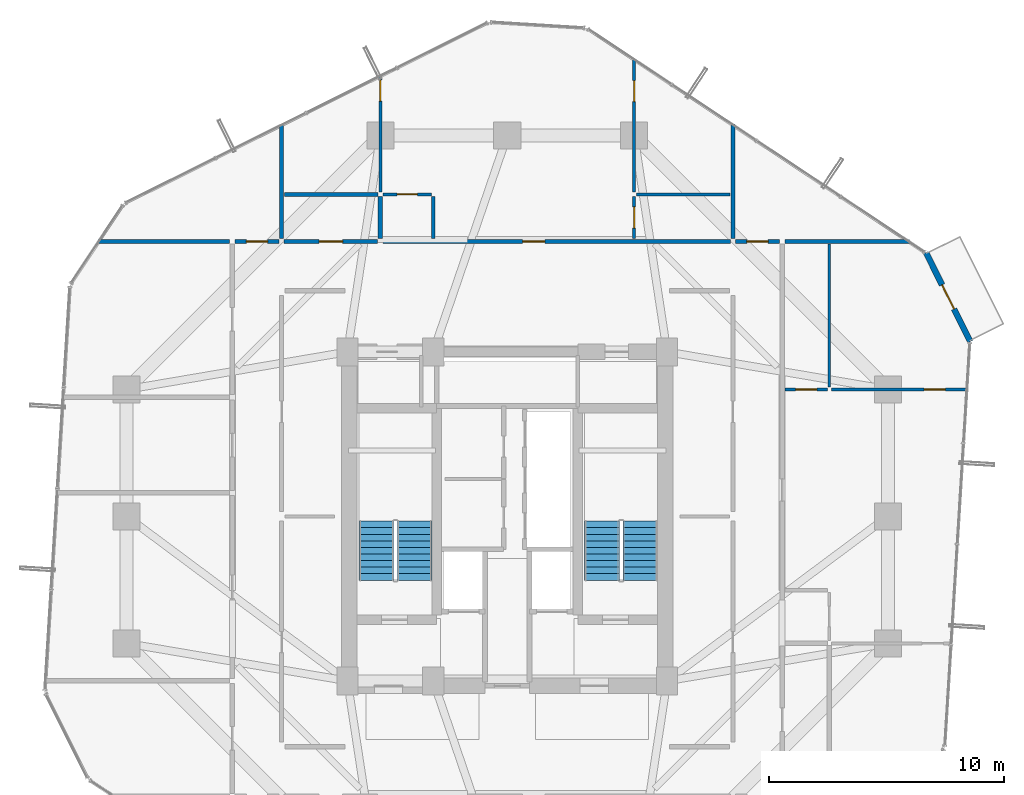
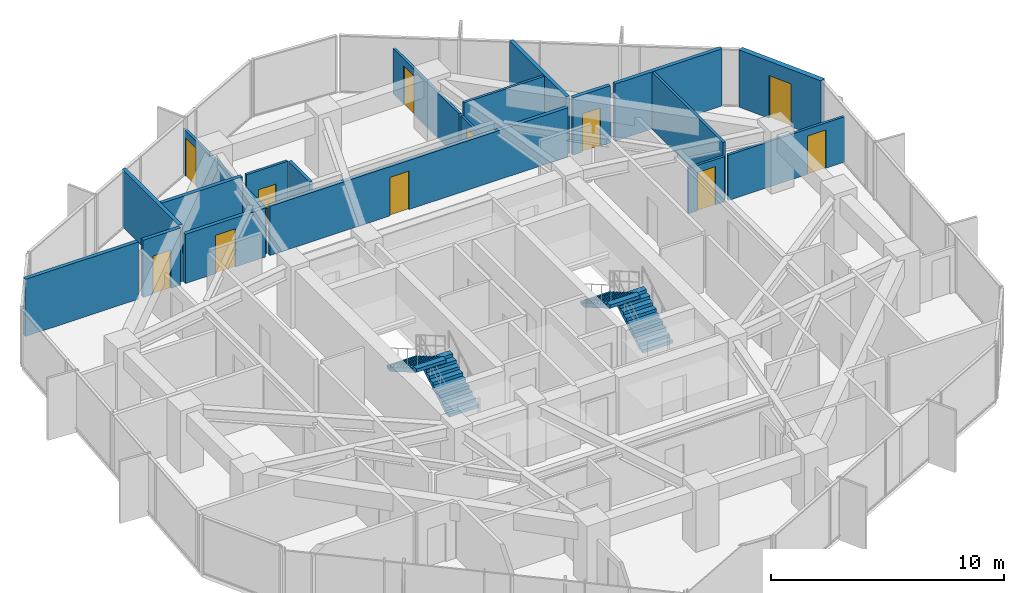
# One storey, part 28 of 30: 20 walls, 11 doors, 4 stair flights, 11 openings, 2 elements without a shape of their own.
"""IFC4 building model written with IfcOpenShell, lengths in metres."""

from ifc_helpers import new_model, si_unit, direction, frame, frame_2d, origin, place, context, subcontext, project, spatial, polyline, rectangle, outline, extrude, source, transform, mapped, material, layer, layer_set, type_object, element, fill, aggregate, save


model = new_model("IFC4")

# Units and contexts
model_context = context("Model", 3, precision=1e-05, world=origin(), true_north=direction((0.0, 1.0)))
body_context = subcontext(model_context, "Body", "Model", "MODEL_VIEW")
ifc_project = project(units=[si_unit("LENGTHUNIT", "METRE"), si_unit("AREAUNIT", "SQUARE_METRE"), si_unit("VOLUMEUNIT", "CUBIC_METRE"), si_unit("PLANEANGLEUNIT", "RADIAN"), si_unit("MASSUNIT", "GRAM", prefix="KILO")], contexts=[model_context])

# Site, building, storey
site_placement = place(None, origin())
site = spatial("IfcSite", under=ifc_project, at=site_placement, CompositionType="ELEMENT")
building_placement = place(site_placement, origin())
building = spatial("IfcBuilding", under=site, at=building_placement, Name="Veraguas Prism Commons", CompositionType="ELEMENT")
storey_placement = place(building_placement, frame((0.0, 0.0, 116.5)))
storey = spatial("IfcBuildingStorey", under=building, at=storey_placement, Name="L32", CompositionType="ELEMENT", Elevation=116.5)

# Walls
ifc_material_1 = material(Name="Autoclaved aerated masonry block 10 MPa", Category="masonry")
ifc_layer_1 = layer(ifc_material_1, 0.179931640625, Name="Corridor and Inter-Tenancy Partition 180", Category="masonry")
ifc_layer_set_1 = layer_set([ifc_layer_1], Name="Autoclaved aerated masonry block 10 MPa")
wall_type_1 = type_object("IfcWallType", Name="Corridor and Inter-Tenancy Partition 180", PredefinedType="PARTITIONING", material=ifc_layer_set_1)
wall_1_placement = place(storey_placement, frame((14.39990234375, 35.820068359375, 0.0), z_axis=(0.0, 0.0, 1.0), x_axis=(0.0, 1.0, 0.0)))
element("IfcWall", 1, at=wall_1_placement, inside=storey, type_object=wall_type_1, Name="WL-L32-PT013", PredefinedType="PARTITIONING", context=body_context, shape_type="SweptSolid", body=[
    extrude(rectangle(XDim=4.862548828125, YDim=0.179931640625, at=frame_2d((2.43115234375, 0.0))), origin(), (0.0, 0.0, 1.0), 3.0),
])
wall_2_placement = place(storey_placement, frame((33.60009765625, 35.820068359375, 0.0), z_axis=(0.0, 0.0, 1.0), x_axis=(0.0, 1.0, 0.0)))
element("IfcWall", 2, at=wall_2_placement, inside=storey, type_object=wall_type_1, Name="WL-L32-PT014", PredefinedType="PARTITIONING", context=body_context, shape_type="SweptSolid", body=[
    extrude(rectangle(XDim=4.866455078125, YDim=0.179931640625, at=frame_2d((2.43310546875, 0.0))), origin(), (0.0, 0.0, 1.0), 3.0),
])

# Wall, opening, door
wall_3_placement = place(storey_placement, frame((14.510009765625, 35.699951171875, 0.0), z_axis=(0.0, 0.0, 1.0), x_axis=(1.0, 0.0, 0.0)))
wall_3 = element("IfcWall", 3, at=wall_3_placement, inside=storey, type_object=wall_type_1, Name="WL-L32-PT015", PredefinedType="PARTITIONING", context=body_context, shape_type="SweptSolid", body=[
    extrude(rectangle(XDim=3.97998046875, YDim=0.179931640625, at=frame_2d((1.989990234375, 0.0))), origin(), (0.0, 0.0, 1.0), 2.580078125),
])
opening_1_placement = place(wall_3_placement, frame((1.489990234375, 0.0, 0.0)))
opening_1 = element("IfcOpeningElement", 4, at=opening_1_placement, cuts=wall_3, Name="Opening DR-13", PredefinedType="OPENING", context=body_context, shape_type="SweptSolid", body=[
    extrude(rectangle(XDim=1.0, YDim=2.010009765625, at=frame_2d((0.5, 1.0048828125))), frame((0.0, 0.099853515625, 0.0), z_axis=(0.0, -1.0, 0.0), x_axis=(1.0, 0.0, 0.0)), (0.0, 0.0, 1.0), 0.199951171875),
])
ifc_material_2 = material(Name="Steel fire-rated door assembly", Category="steel")
door_type_1 = type_object("IfcDoorType", Name="Core Accessible WC and Clinic Fire Door 1000x2010", OperationType="NOTDEFINED", PredefinedType="DOOR", material=ifc_material_2)
shared_shape_1 = source(origin(), body_context, "Body", "SweptSolid", [
    extrude(rectangle(XDim=1.0, YDim=2.010009765625, at=frame_2d((0.5, 1.0048828125))), frame((0.0, 0.02490234375, 0.0), z_axis=(0.0, -1.0, 0.0), x_axis=(1.0, 0.0, 0.0)), (0.0, 0.0, 1.0), 0.050048828125),
])
door_1_placement = place(opening_1_placement, origin())
door_1 = element("IfcDoor", 5, at=door_1_placement, inside=storey, type_object=door_type_1, Name="Residents Study Alcove 32B Door", OperationType="SINGLE_SWING_LEFT", OverallHeight=2.010009765625, OverallWidth=1.0, PredefinedType="DOOR", context=body_context, shape_type="MappedRepresentation", body=[
    mapped(shared_shape_1, transform((0.0, 0.0, 0.0), scale=1.0)),
])
fill(opening_1, door_1)

wall_4_placement = place(storey_placement, frame((18.7099609375, 35.699951171875, 0.0), z_axis=(0.0, 0.0, 1.0), x_axis=(1.0, 0.0, 0.0)))
wall_4 = element("IfcWall", 6, at=wall_4_placement, inside=storey, type_object=wall_type_1, Name="WL-L32-PT016", PredefinedType="PARTITIONING", context=body_context, shape_type="SweptSolid", body=[
    extrude(rectangle(XDim=14.780029296875, YDim=0.179931640625, at=frame_2d((7.39013671875, 0.0))), origin(), (0.0, 0.0, 1.0), 2.580078125),
])
opening_2_placement = place(wall_4_placement, frame((5.93994140625, 0.0, 0.0)))
opening_2 = element("IfcOpeningElement", 7, at=opening_2_placement, cuts=wall_4, Name="Opening DR-01", PredefinedType="OPENING", context=body_context, shape_type="SweptSolid", body=[
    extrude(rectangle(XDim=0.949951171875, YDim=2.02001953125, at=frame_2d((0.47509765625, 1.010009765625))), frame((0.0, 0.099853515625, 0.0), z_axis=(0.0, -1.0, 0.0), x_axis=(1.0, 0.0, 0.0)), (0.0, 0.0, 1.0), 0.199951171875),
])
ifc_material_3 = material(Name="Anodised aluminium EN AW-6063 T6", Category="aluminium")
door_type_2 = type_object("IfcDoorType", Name="Apartment Entrance Fire Door 950x2020", OperationType="NOTDEFINED", PredefinedType="DOOR", material=ifc_material_3)
shared_shape_2 = source(origin(), body_context, "Body", "SweptSolid", [
    extrude(rectangle(XDim=0.949951171875, YDim=2.02001953125, at=frame_2d((0.47509765625, 1.010009765625))), frame((0.0, 0.02490234375, 0.0), z_axis=(0.0, -1.0, 0.0), x_axis=(1.0, 0.0, 0.0)), (0.0, 0.0, 1.0), 0.050048828125),
])
door_2_placement = place(opening_2_placement, origin())
door_2 = element("IfcDoor", 8, at=door_2_placement, inside=storey, type_object=door_type_2, Name="Flat 32B Entrance Door", OperationType="SINGLE_SWING_RIGHT", OverallHeight=2.02001953125, OverallWidth=0.949951171875, PredefinedType="DOOR", context=body_context, shape_type="MappedRepresentation", body=[
    mapped(shared_shape_2, transform((0.0, 0.0, 0.0), scale=1.0)),
])
fill(opening_2, door_2)

# Walls
wall_5_placement = place(storey_placement, frame((14.52001953125, 37.699951171875, 0.0), z_axis=(0.0, 0.0, 1.0), x_axis=(1.0, 0.0, 0.0)))
element("IfcWall", 9, at=wall_5_placement, inside=storey, type_object=wall_type_1, Name="WL-L32-PT017", PredefinedType="PARTITIONING", context=body_context, shape_type="SweptSolid", body=[
    extrude(rectangle(XDim=3.97998046875, YDim=0.179931640625, at=frame_2d((1.989990234375, 0.0))), origin(), (0.0, 0.0, 1.0), 3.0),
])
wall_6_placement = place(storey_placement, frame((18.60009765625, 35.820068359375, 0.0), z_axis=(0.0, 0.0, 1.0), x_axis=(0.0, 1.0, 0.0)))
element("IfcWall", 10, at=wall_6_placement, inside=storey, type_object=wall_type_1, Name="WL-L32-PT018", PredefinedType="PARTITIONING", context=body_context, shape_type="SweptSolid", body=[
    extrude(rectangle(XDim=1.800048828125, YDim=0.179931640625, at=frame_2d((0.89990234375, 0.0))), origin(), (0.0, 0.0, 1.0), 2.3779296875),
])
wall_7_placement = place(storey_placement, frame((12.179931640625, 35.699951171875, 0.0), z_axis=(0.0, 0.0, 1.0), x_axis=(-1.0, 0.0, 0.0)))
element("IfcWall", 11, at=wall_7_placement, inside=storey, type_object=wall_type_1, Name="WL-L32-PT026", PredefinedType="PARTITIONING", context=body_context, shape_type="SweptSolid", body=[
    extrude(rectangle(XDim=5.596435546875, YDim=0.179931640625, at=frame_2d((2.79833984375, 0.0))), origin(), (0.0, 0.0, 1.0), 3.0),
])
wall_8_placement = place(storey_placement, frame((35.820068359375, 35.699951171875, 0.0), z_axis=(0.0, 0.0, 1.0), x_axis=(1.0, 0.0, 0.0)))
element("IfcWall", 12, at=wall_8_placement, inside=storey, type_object=wall_type_1, Name="WL-L32-PT035", PredefinedType="PARTITIONING", context=body_context, shape_type="SweptSolid", body=[
    extrude(rectangle(XDim=5.302490234375, YDim=0.179931640625, at=frame_2d((2.6513671875, 0.0))), origin(), (0.0, 0.0, 1.0), 3.0),
])

# Wall, opening, door
wall_9_placement = place(storey_placement, frame((12.419921875, 35.699951171875, 0.0), z_axis=(0.0, 0.0, 1.0), x_axis=(1.0, 0.0, 0.0)))
wall_9 = element("IfcWall", 13, at=wall_9_placement, inside=storey, type_object=wall_type_1, Name="WL-L32-PT048", PredefinedType="PARTITIONING", context=body_context, shape_type="SweptSolid", body=[
    extrude(rectangle(XDim=1.860107421875, YDim=0.179931640625, at=frame_2d((0.93017578125, 0.0))), origin(), (0.0, 0.0, 1.0), 3.0),
])
opening_3_placement = place(wall_9_placement, frame((0.47998046875, 0.0, 0.0)))
opening_3 = element("IfcOpeningElement", 14, at=opening_3_placement, cuts=wall_9, Name="Opening DR-14", PredefinedType="OPENING", context=body_context, shape_type="SweptSolid", body=[
    extrude(rectangle(XDim=0.89990234375, YDim=2.010009765625, at=frame_2d((0.449951171875, 1.0048828125))), frame((0.0, 0.099853515625, 0.0), z_axis=(0.0, -1.0, 0.0), x_axis=(1.0, 0.0, 0.0)), (0.0, 0.0, 1.0), 0.199951171875),
])
door_type_3 = type_object("IfcDoorType", Name="Core Service Room Fire Door 900x2010", OperationType="NOTDEFINED", PredefinedType="DOOR", material=ifc_material_2)
shared_shape_3 = source(origin(), body_context, "Body", "SweptSolid", [
    extrude(rectangle(XDim=0.89990234375, YDim=2.010009765625, at=frame_2d((0.449951171875, 1.0048828125))), frame((0.0, 0.02490234375, 0.0), z_axis=(0.0, -1.0, 0.0), x_axis=(1.0, 0.0, 0.0)), (0.0, 0.0, 1.0), 0.050048828125),
])
door_3_placement = place(opening_3_placement, origin())
door_3 = element("IfcDoor", 15, at=door_3_placement, inside=storey, type_object=door_type_3, Name="Corner Study NW Door", OperationType="SINGLE_SWING_LEFT", OverallHeight=2.010009765625, OverallWidth=0.89990234375, PredefinedType="DOOR", context=body_context, shape_type="MappedRepresentation", body=[
    mapped(shared_shape_3, transform((0.0, 0.0, 0.0), scale=1.0)),
])
fill(opening_3, door_3)

wall_10_placement = place(storey_placement, frame((33.719970703125, 35.699951171875, 0.0), z_axis=(0.0, 0.0, 1.0), x_axis=(1.0, 0.0, 0.0)))
wall_10 = element("IfcWall", 16, at=wall_10_placement, inside=storey, type_object=wall_type_1, Name="WL-L32-PT049", PredefinedType="PARTITIONING", context=body_context, shape_type="SweptSolid", body=[
    extrude(rectangle(XDim=1.860107421875, YDim=0.179931640625, at=frame_2d((0.93017578125, 0.0))), origin(), (0.0, 0.0, 1.0), 3.0),
])
opening_4_placement = place(wall_10_placement, frame((0.47998046875, 0.0, 0.0)))
opening_4 = element("IfcOpeningElement", 17, at=opening_4_placement, cuts=wall_10, Name="Opening DR-14", PredefinedType="OPENING", context=body_context, shape_type="SweptSolid", body=[
    extrude(rectangle(XDim=0.89990234375, YDim=2.010009765625, at=frame_2d((0.449951171875, 1.0048828125))), frame((0.0, 0.099853515625, 0.0), z_axis=(0.0, -1.0, 0.0), x_axis=(1.0, 0.0, 0.0)), (0.0, 0.0, 1.0), 0.199951171875),
])
door_4_placement = place(opening_4_placement, origin())
door_4 = element("IfcDoor", 18, at=door_4_placement, inside=storey, type_object=door_type_3, Name="Shared Laundry Room NE Door", OperationType="SINGLE_SWING_RIGHT", OverallHeight=2.010009765625, OverallWidth=0.89990234375, PredefinedType="DOOR", context=body_context, shape_type="MappedRepresentation", body=[
    mapped(shared_shape_3, transform((0.0, 0.0, 0.0), scale=1.0)),
])
fill(opening_4, door_4)

ifc_material_4 = material(Name="Precast concrete C40/50", Category="concrete")
ifc_layer_2 = layer(ifc_material_4, 0.25, Name="External Loggia and Portal Wall 250", Category="concrete")
ifc_layer_set_2 = layer_set([ifc_layer_2], Name="Precast concrete C40/50")
wall_type_2 = type_object("IfcWallType", Name="External Loggia and Portal Wall 250", PredefinedType="SOLIDWALL", material=ifc_layer_set_2)
wall_11_placement = place(storey_placement, frame((43.699462890625, 31.4404296875, 0.0), z_axis=(0.0, 0.0, 1.0), x_axis=(-0.445597963256, 0.895233184786, 0.0)))
wall_11 = element("IfcWall", 19, at=wall_11_placement, inside=storey, type_object=wall_type_2, Name="Corner Loggia Wall L32-C1", PredefinedType="SOLIDWALL", context=body_context, shape_type="SweptSolid", body=[
    extrude(rectangle(XDim=4.23291015625, YDim=0.25, at=frame_2d((2.116455078125, 0.0))), origin(), (0.0, 0.0, 1.0), 3.0),
])
opening_5_placement = place(wall_11_placement, frame((1.5419921875, 0.0, 0.0)))
opening_5 = element("IfcOpeningElement", 20, at=opening_5_placement, cuts=wall_11, Name="Opening DR-10", PredefinedType="OPENING", context=body_context, shape_type="SweptSolid", body=[
    extrude(rectangle(XDim=1.14990234375, YDim=2.25, at=frame_2d((0.574951171875, 1.125))), frame((0.0, 0.135009765625, 0.0), z_axis=(0.0, -1.0, 0.0), x_axis=(1.0, 0.0, 0.0)), (0.0, 0.0, 1.0), 0.27001953125),
])
door_type_4 = type_object("IfcDoorType", Name="Glazed Loggia and Terrace Door 1150x2250", OperationType="NOTDEFINED", PredefinedType="DOOR", material=ifc_material_3)
shared_shape_4 = source(origin(), body_context, "Body", "SweptSolid", [
    extrude(rectangle(XDim=1.14990234375, YDim=2.25, at=frame_2d((0.574951171875, 1.125))), frame((0.0, 0.02490234375, 0.0), z_axis=(0.0, -1.0, 0.0), x_axis=(1.0, 0.0, 0.0)), (0.0, 0.0, 1.0), 0.050048828125),
])
door_5_placement = place(opening_5_placement, frame((1.14990234375, 0.0, 0.0), z_axis=(0.0, 0.0, 1.0), x_axis=(-1.0, 0.0, 0.0)))
door_5 = element("IfcDoor", 21, at=door_5_placement, inside=storey, type_object=door_type_4, Name="Recessed Loggia Door L32-C1", OperationType="SINGLE_SWING_RIGHT", OverallHeight=2.25, OverallWidth=1.14990234375, PredefinedType="DOOR", context=body_context, shape_type="MappedRepresentation", body=[
    mapped(shared_shape_4, transform((0.0, 0.0, 0.0), scale=1.0)),
])
fill(opening_5, door_5)

ifc_material_5 = material(Name="Lightweight acoustic gypsum board")
ifc_layer_3 = layer(ifc_material_5, 0.125, Name="Internal Apartment Room Partition 125")
ifc_layer_set_3 = layer_set([ifc_layer_3], Name="Lightweight acoustic gypsum board")
wall_type_3 = type_object("IfcWallType", Name="Internal Apartment Room Partition 125", PredefinedType="PARTITIONING", material=ifc_layer_set_3)
wall_12_placement = place(storey_placement, frame((18.60009765625, 37.800048828125, 0.0), z_axis=(0.0, 0.0, 1.0), x_axis=(0.0, 1.0, 0.0)))
wall_12 = element("IfcWall", 22, at=wall_12_placement, inside=storey, type_object=wall_type_3, Name="WL-L32-PT019", PredefinedType="PARTITIONING", context=body_context, shape_type="SweptSolid", body=[
    extrude(rectangle(XDim=4.972900390625, YDim=0.125, at=frame_2d((2.486328125, 0.0))), origin(), (0.0, 0.0, 1.0), 2.3779296875),
])
opening_6_placement = place(wall_12_placement, frame((3.872802734375, 0.0, 0.0)))
opening_6 = element("IfcOpeningElement", 23, at=opening_6_placement, cuts=wall_12, Name="Opening DR-02", PredefinedType="OPENING", context=body_context, shape_type="SweptSolid", body=[
    extrude(rectangle(XDim=0.89990234375, YDim=2.010009765625, at=frame_2d((0.449951171875, 1.0048828125))), frame((0.0, 0.072509765625, 0.0), z_axis=(0.0, -1.0, 0.0), x_axis=(1.0, 0.0, 0.0)), (0.0, 0.0, 1.0), 0.14501953125),
])
ifc_material_6 = material(Name="Timber solid core hardwood", Category="wood")
door_type_5 = type_object("IfcDoorType", Name="Internal Habitable Room Door 900x2010", OperationType="NOTDEFINED", PredefinedType="DOOR", material=ifc_material_6)
door_6_placement = place(opening_6_placement, origin())
door_6 = element("IfcDoor", 24, at=door_6_placement, inside=storey, type_object=door_type_5, Name="Flat 32B Bedroom 2 Door", OperationType="SINGLE_SWING_LEFT", OverallHeight=2.010009765625, OverallWidth=0.89990234375, PredefinedType="DOOR", context=body_context, shape_type="MappedRepresentation", body=[
    mapped(shared_shape_3, transform((0.0, 0.0, 0.0), scale=1.0)),
])
fill(opening_6, door_6)

wall_13_placement = place(storey_placement, frame((18.719970703125, 37.699951171875, 0.0), z_axis=(0.0, 0.0, 1.0), x_axis=(1.0, 0.0, 0.0)))
wall_13 = element("IfcWall", 25, at=wall_13_placement, inside=storey, type_object=wall_type_3, Name="WL-L32-PT021", PredefinedType="PARTITIONING", context=body_context, shape_type="SweptSolid", body=[
    extrude(rectangle(XDim=2.050048828125, YDim=0.125, at=frame_2d((1.02490234375, 0.0))), origin(), (0.0, 0.0, 1.0), 3.0),
])
opening_7_placement = place(wall_13_placement, frame((0.594970703125, 0.0, 0.0)))
opening_7 = element("IfcOpeningElement", 26, at=opening_7_placement, cuts=wall_13, Name="Opening DR-03", PredefinedType="OPENING", context=body_context, shape_type="SweptSolid", body=[
    extrude(rectangle(XDim=0.860107421875, YDim=2.010009765625, at=frame_2d((0.43017578125, 1.0048828125))), frame((0.0, 0.072509765625, 0.0), z_axis=(0.0, -1.0, 0.0), x_axis=(1.0, 0.0, 0.0)), (0.0, 0.0, 1.0), 0.14501953125),
])
ifc_material_7 = material(Name="Timber moisture-resistant leaf", Category="wood")
door_type_6 = type_object("IfcDoorType", Name="Internal Bathroom Door 860x2010", OperationType="NOTDEFINED", PredefinedType="DOOR", material=ifc_material_7)
shared_shape_5 = source(origin(), body_context, "Body", "SweptSolid", [
    extrude(rectangle(XDim=0.860107421875, YDim=2.010009765625, at=frame_2d((0.43017578125, 1.0048828125))), frame((0.0, 0.02490234375, 0.0), z_axis=(0.0, -1.0, 0.0), x_axis=(1.0, 0.0, 0.0)), (0.0, 0.0, 1.0), 0.050048828125),
])
door_7_placement = place(opening_7_placement, origin())
door_7 = element("IfcDoor", 27, at=door_7_placement, inside=storey, type_object=door_type_6, Name="Flat 32B Bathroom Door", OperationType="SINGLE_SWING_RIGHT", OverallHeight=2.010009765625, OverallWidth=0.860107421875, PredefinedType="DOOR", context=body_context, shape_type="MappedRepresentation", body=[
    mapped(shared_shape_5, transform((0.0, 0.0, 0.0), scale=1.0)),
])
fill(opening_7, door_7)

wall_14_placement = place(storey_placement, frame((29.39990234375, 35.820068359375, 0.0), z_axis=(0.0, 0.0, 1.0), x_axis=(0.0, 1.0, 0.0)))
wall_14 = element("IfcWall", 28, at=wall_14_placement, inside=storey, type_object=wall_type_3, Name="WL-L32-PT022", PredefinedType="PARTITIONING", context=body_context, shape_type="SweptSolid", body=[
    extrude(rectangle(XDim=1.800048828125, YDim=0.125, at=frame_2d((0.89990234375, 0.0))), origin(), (0.0, 0.0, 1.0), 2.3779296875),
])
opening_8_placement = place(wall_14_placement, frame((0.449951171875, 0.0, 0.0)))
opening_8 = element("IfcOpeningElement", 29, at=opening_8_placement, cuts=wall_14, Name="Opening DR-02", PredefinedType="OPENING", context=body_context, shape_type="SweptSolid", body=[
    extrude(rectangle(XDim=0.89990234375, YDim=2.010009765625, at=frame_2d((0.449951171875, 1.0048828125))), frame((0.0, 0.072509765625, 0.0), z_axis=(0.0, -1.0, 0.0), x_axis=(1.0, 0.0, 0.0)), (0.0, 0.0, 1.0), 0.14501953125),
])
door_8_placement = place(opening_8_placement, origin())
door_8 = element("IfcDoor", 30, at=door_8_placement, inside=storey, type_object=door_type_5, Name="Flat 32B Kitchen Door", OperationType="SINGLE_SWING_LEFT", OverallHeight=2.010009765625, OverallWidth=0.89990234375, PredefinedType="DOOR", context=body_context, shape_type="MappedRepresentation", body=[
    mapped(shared_shape_3, transform((0.0, 0.0, 0.0), scale=1.0)),
])
fill(opening_8, door_8)

# Wall
wall_15_placement = place(storey_placement, frame((29.5, 37.699951171875, 0.0), z_axis=(0.0, 0.0, 1.0), x_axis=(1.0, 0.0, 0.0)))
element("IfcWall", 31, at=wall_15_placement, inside=storey, type_object=wall_type_3, Name="WL-L32-PT023", PredefinedType="PARTITIONING", context=body_context, shape_type="SweptSolid", body=[
    extrude(rectangle(XDim=3.97998046875, YDim=0.125, at=frame_2d((1.989990234375, 0.0))), origin(), (0.0, 0.0, 1.0), 3.0),
])

# Wall, opening, door
wall_16_placement = place(storey_placement, frame((29.39990234375, 37.800048828125, 0.0), z_axis=(0.0, 0.0, 1.0), x_axis=(0.0, 1.0, 0.0)))
wall_16 = element("IfcWall", 32, at=wall_16_placement, inside=storey, type_object=wall_type_3, Name="WL-L32-PT024", PredefinedType="PARTITIONING", context=body_context, shape_type="SweptSolid", body=[
    extrude(rectangle(XDim=5.670654296875, YDim=0.125, at=frame_2d((2.83544921875, 0.0))), origin(), (0.0, 0.0, 1.0), 2.3779296875),
])
opening_9_placement = place(wall_16_placement, frame((3.84228515625, 0.0, 0.0)))
opening_9 = element("IfcOpeningElement", 33, at=opening_9_placement, cuts=wall_16, Name="Opening DR-02", PredefinedType="OPENING", context=body_context, shape_type="SweptSolid", body=[
    extrude(rectangle(XDim=0.89990234375, YDim=2.010009765625, at=frame_2d((0.449951171875, 1.0048828125))), frame((0.0, 0.072509765625, 0.0), z_axis=(0.0, -1.0, 0.0), x_axis=(1.0, 0.0, 0.0)), (0.0, 0.0, 1.0), 0.14501953125),
])
door_9_placement = place(opening_9_placement, origin())
door_9 = element("IfcDoor", 34, at=door_9_placement, inside=storey, type_object=door_type_5, Name="Flat 32B Bedroom 1 Door", OperationType="SINGLE_SWING_RIGHT", OverallHeight=2.010009765625, OverallWidth=0.89990234375, PredefinedType="DOOR", context=body_context, shape_type="MappedRepresentation", body=[
    mapped(shared_shape_3, transform((0.0, 0.0, 0.0), scale=1.0)),
])
fill(opening_9, door_9)

wall_17_placement = place(storey_placement, frame((35.820068359375, 29.39990234375, 0.0), z_axis=(0.0, 0.0, 1.0), x_axis=(1.0, 0.0, 0.0)))
wall_17 = element("IfcWall", 35, at=wall_17_placement, inside=storey, type_object=wall_type_3, Name="WL-L32-PT043", PredefinedType="PARTITIONING", context=body_context, shape_type="SweptSolid", body=[
    extrude(rectangle(XDim=1.800048828125, YDim=0.125, at=frame_2d((0.89990234375, 0.0))), origin(), (0.0, 0.0, 1.0), 2.3779296875),
])
opening_10_placement = place(wall_17_placement, frame((0.449951171875, 0.0, 0.0)))
opening_10 = element("IfcOpeningElement", 36, at=opening_10_placement, cuts=wall_17, Name="Opening DR-02", PredefinedType="OPENING", context=body_context, shape_type="SweptSolid", body=[
    extrude(rectangle(XDim=0.89990234375, YDim=2.010009765625, at=frame_2d((0.449951171875, 1.0048828125))), frame((0.0, 0.072509765625, 0.0), z_axis=(0.0, -1.0, 0.0), x_axis=(1.0, 0.0, 0.0)), (0.0, 0.0, 1.0), 0.14501953125),
])
door_10_placement = place(opening_10_placement, origin())
door_10 = element("IfcDoor", 37, at=door_10_placement, inside=storey, type_object=door_type_5, Name="Flat 32C Kitchen Door", OperationType="SINGLE_SWING_LEFT", OverallHeight=2.010009765625, OverallWidth=0.89990234375, PredefinedType="DOOR", context=body_context, shape_type="MappedRepresentation", body=[
    mapped(shared_shape_3, transform((0.0, 0.0, 0.0), scale=1.0)),
])
fill(opening_10, door_10)

# Wall
wall_18_placement = place(storey_placement, frame((37.699951171875, 29.5, 0.0), z_axis=(0.0, 0.0, 1.0), x_axis=(0.0, 1.0, 0.0)))
element("IfcWall", 38, at=wall_18_placement, inside=storey, type_object=wall_type_3, Name="WL-L32-PT044", PredefinedType="PARTITIONING", context=body_context, shape_type="SweptSolid", body=[
    extrude(rectangle(XDim=6.080078125, YDim=0.125, at=frame_2d((3.0400390625, 0.0))), origin(), (0.0, 0.0, 1.0), 3.0),
])

# Wall, opening, door
wall_19_placement = place(storey_placement, frame((37.800048828125, 29.39990234375, 0.0), z_axis=(0.0, 0.0, 1.0), x_axis=(1.0, 0.0, 0.0)))
wall_19 = element("IfcWall", 39, at=wall_19_placement, inside=storey, type_object=wall_type_3, Name="WL-L32-PT045", PredefinedType="PARTITIONING", context=body_context, shape_type="SweptSolid", body=[
    extrude(rectangle(XDim=5.783203125, YDim=0.125, at=frame_2d((2.8916015625, 0.0))), origin(), (0.0, 0.0, 1.0), 2.3779296875),
])
opening_11_placement = place(wall_19_placement, frame((3.93603515625, 0.0, 0.0)))
opening_11 = element("IfcOpeningElement", 40, at=opening_11_placement, cuts=wall_19, Name="Opening DR-02", PredefinedType="OPENING", context=body_context, shape_type="SweptSolid", body=[
    extrude(rectangle(XDim=0.89990234375, YDim=2.010009765625, at=frame_2d((0.449951171875, 1.0048828125))), frame((0.0, 0.072509765625, 0.0), z_axis=(0.0, -1.0, 0.0), x_axis=(1.0, 0.0, 0.0)), (0.0, 0.0, 1.0), 0.14501953125),
])
door_11_placement = place(opening_11_placement, origin())
door_11 = element("IfcDoor", 41, at=door_11_placement, inside=storey, type_object=door_type_5, Name="Flat 32C Bedroom 1 Door", OperationType="SINGLE_SWING_RIGHT", OverallHeight=2.010009765625, OverallWidth=0.89990234375, PredefinedType="DOOR", context=body_context, shape_type="MappedRepresentation", body=[
    mapped(shared_shape_3, transform((0.0, 0.0, 0.0), scale=1.0)),
])
fill(opening_11, door_11)

# Wall
ifc_layer_4 = layer(ifc_material_5, 0.14990234375, Name="Wet Room and Clinic Acoustic Partition 150")
ifc_layer_set_4 = layer_set([ifc_layer_4], Name="Lightweight acoustic gypsum board")
wall_type_4 = type_object("IfcWallType", Name="Wet Room and Clinic Acoustic Partition 150", PredefinedType="PARTITIONING", material=ifc_layer_set_4)
wall_20_placement = place(storey_placement, frame((20.85009765625, 35.820068359375, 0.0), z_axis=(0.0, 0.0, 1.0), x_axis=(0.0, 1.0, 0.0)))
element("IfcWall", 42, at=wall_20_placement, inside=storey, type_object=wall_type_4, Name="WL-L32-PT020", PredefinedType="PARTITIONING", context=body_context, shape_type="SweptSolid", body=[
    extrude(rectangle(XDim=1.800048828125, YDim=0.14990234375, at=frame_2d((0.89990234375, 0.0))), origin(), (0.0, 0.0, 1.0), 3.0),
])

# Stair, stair flights
ifc_material_8 = material(Name="Precast concrete C45/55", Category="concrete")
stair_type = type_object("IfcStairType", Name="Dogleg Core Stair 1480W 20R 05", PredefinedType="HALF_TURN_STAIR", material=ifc_material_8)
stair_1_placement = place(storey_placement, origin())
stair_1 = element("IfcStair", 43, at=stair_1_placement, inside=storey, type_object=stair_type, Name="Protected Exit Stair ST-01 L32", PredefinedType="HALF_TURN_STAIR")
stair_flight_type = type_object("IfcStairFlightType", Name="Precast Stair Flight 1480W 10R 05", PredefinedType="STRAIGHT", material=ifc_material_8)
stair_flight_1_placement = place(storey_placement, frame((20.06005859375, 21.280029296875, 0.0), z_axis=(0.0, 0.0, 1.0), x_axis=(0.0, 1.0, 0.0)))
stair_flight_1 = element("IfcStairFlight", 44, at=stair_flight_1_placement, type_object=stair_flight_type, Name="ST-05 Flight 1", NumberOfRisers=10, NumberOfTreads=9, PredefinedType="STRAIGHT", RiserHeight=0.1625, TreadLength=0.28, context=body_context, shape_type="SweptSolid", body=[
    extrude(outline(polyline([(0.0, 0.0), (0.0, 0.16259765625), (0.280029296875, 0.16259765625), (0.280029296875, 0.324951171875), (0.56005859375, 0.324951171875), (0.56005859375, 0.487548828125), (0.840087890625, 0.487548828125), (0.840087890625, 0.64990234375), (1.1201171875, 0.64990234375), (1.1201171875, 0.8125), (1.39990234375, 0.8125), (1.39990234375, 0.97509765625), (1.679931640625, 0.97509765625), (1.679931640625, 1.137451171875), (1.9599609375, 1.137451171875), (1.9599609375, 1.300048828125), (2.239990234375, 1.300048828125), (2.239990234375, 1.46240234375), (2.52001953125, 1.46240234375), (2.52001953125, 1.625), (2.52001953125, 1.2890625), (0.298583984375, 0.0), (0.0, 0.0)])), frame((0.0, 0.739990234375, 0.0), z_axis=(0.0, -1.0, 0.0), x_axis=(1.0, 0.0, 0.0)), (0.0, 0.0, 1.0), 1.47998046875),
])
stair_flight_2_placement = place(storey_placement, frame((18.429931640625, 23.800048828125, 1.625), z_axis=(0.0, 0.0, 1.0), x_axis=(0.0, -1.0, 0.0)))
stair_flight_2 = element("IfcStairFlight", 45, at=stair_flight_2_placement, type_object=stair_flight_type, Name="ST-05 Flight 2", NumberOfRisers=10, NumberOfTreads=9, PredefinedType="STRAIGHT", RiserHeight=0.1625, TreadLength=0.28, context=body_context, shape_type="SweptSolid", body=[
    extrude(outline(polyline([(0.0, 0.0), (0.0, 0.16259765625), (0.280029296875, 0.16259765625), (0.280029296875, 0.324951171875), (0.56005859375, 0.324951171875), (0.56005859375, 0.487548828125), (0.840087890625, 0.487548828125), (0.840087890625, 0.64990234375), (1.1201171875, 0.64990234375), (1.1201171875, 0.8125), (1.39990234375, 0.8125), (1.39990234375, 0.97509765625), (1.679931640625, 0.97509765625), (1.679931640625, 1.137451171875), (1.9599609375, 1.137451171875), (1.9599609375, 1.300048828125), (2.239990234375, 1.300048828125), (2.239990234375, 1.46240234375), (2.52001953125, 1.46240234375), (2.52001953125, 1.625), (2.52001953125, 1.2890625), (0.298583984375, 0.0), (0.0, 0.0)])), frame((0.0, 0.739990234375, 0.0), z_axis=(0.0, -1.0, 0.0), x_axis=(1.0, 0.0, 0.0)), (0.0, 0.0, 1.0), 1.47998046875),
])
aggregate(stair_1, [stair_flight_1, stair_flight_2])

stair_2_placement = place(storey_placement, origin())
stair_2 = element("IfcStair", 46, at=stair_2_placement, inside=storey, type_object=stair_type, Name="Protected Exit Stair ST-02 L32", PredefinedType="HALF_TURN_STAIR")
stair_flight_3_placement = place(storey_placement, frame((29.659912109375, 21.280029296875, 0.0), z_axis=(0.0, 0.0, 1.0), x_axis=(0.0, 1.0, 0.0)))
stair_flight_3 = element("IfcStairFlight", 47, at=stair_flight_3_placement, type_object=stair_flight_type, Name="ST-05 Flight 1", NumberOfRisers=10, NumberOfTreads=9, PredefinedType="STRAIGHT", RiserHeight=0.1625, TreadLength=0.28, context=body_context, shape_type="SweptSolid", body=[
    extrude(outline(polyline([(0.0, 0.0), (0.0, 0.16259765625), (0.280029296875, 0.16259765625), (0.280029296875, 0.324951171875), (0.56005859375, 0.324951171875), (0.56005859375, 0.487548828125), (0.840087890625, 0.487548828125), (0.840087890625, 0.64990234375), (1.1201171875, 0.64990234375), (1.1201171875, 0.8125), (1.39990234375, 0.8125), (1.39990234375, 0.97509765625), (1.679931640625, 0.97509765625), (1.679931640625, 1.137451171875), (1.9599609375, 1.137451171875), (1.9599609375, 1.300048828125), (2.239990234375, 1.300048828125), (2.239990234375, 1.46240234375), (2.52001953125, 1.46240234375), (2.52001953125, 1.625), (2.52001953125, 1.2890625), (0.298583984375, 0.0), (0.0, 0.0)])), frame((0.0, 0.739990234375, 0.0), z_axis=(0.0, -1.0, 0.0), x_axis=(1.0, 0.0, 0.0)), (0.0, 0.0, 1.0), 1.47998046875),
])
stair_flight_4_placement = place(storey_placement, frame((28.030029296875, 23.800048828125, 1.625), z_axis=(0.0, 0.0, 1.0), x_axis=(0.0, -1.0, 0.0)))
stair_flight_4 = element("IfcStairFlight", 48, at=stair_flight_4_placement, type_object=stair_flight_type, Name="ST-05 Flight 2", NumberOfRisers=10, NumberOfTreads=9, PredefinedType="STRAIGHT", RiserHeight=0.1625, TreadLength=0.28, context=body_context, shape_type="SweptSolid", body=[
    extrude(outline(polyline([(0.0, 0.0), (0.0, 0.16259765625), (0.280029296875, 0.16259765625), (0.280029296875, 0.324951171875), (0.56005859375, 0.324951171875), (0.56005859375, 0.487548828125), (0.840087890625, 0.487548828125), (0.840087890625, 0.64990234375), (1.1201171875, 0.64990234375), (1.1201171875, 0.8125), (1.39990234375, 0.8125), (1.39990234375, 0.97509765625), (1.679931640625, 0.97509765625), (1.679931640625, 1.137451171875), (1.9599609375, 1.137451171875), (1.9599609375, 1.300048828125), (2.239990234375, 1.300048828125), (2.239990234375, 1.46240234375), (2.52001953125, 1.46240234375), (2.52001953125, 1.625), (2.52001953125, 1.2890625), (0.298583984375, 0.0), (0.0, 0.0)])), frame((0.0, 0.739990234375, 0.0), z_axis=(0.0, -1.0, 0.0), x_axis=(1.0, 0.0, 0.0)), (0.0, 0.0, 1.0), 1.47998046875),
])
aggregate(stair_2, [stair_flight_3, stair_flight_4])

save(model, "model.ifc")
